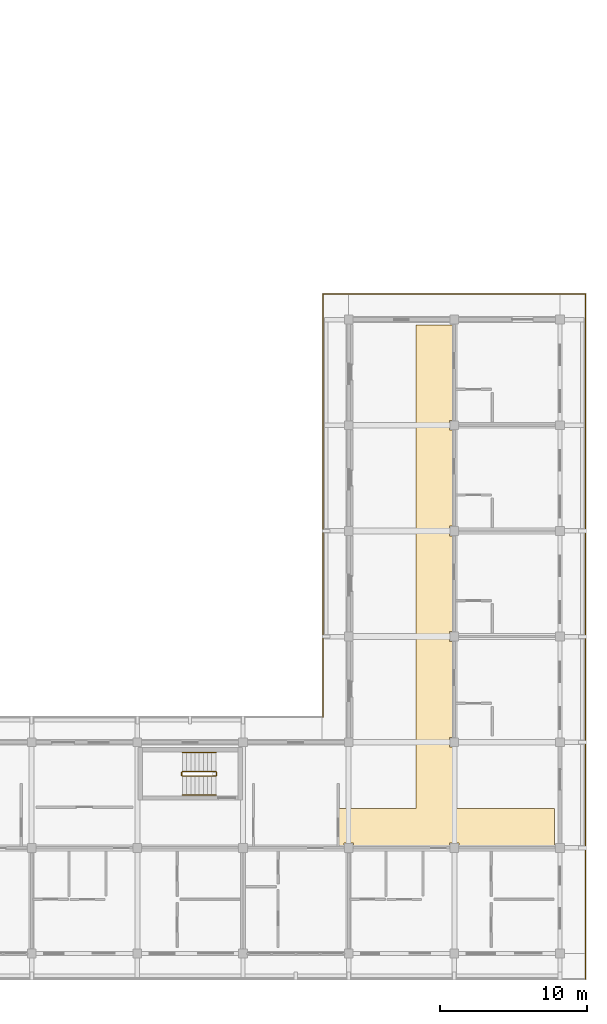
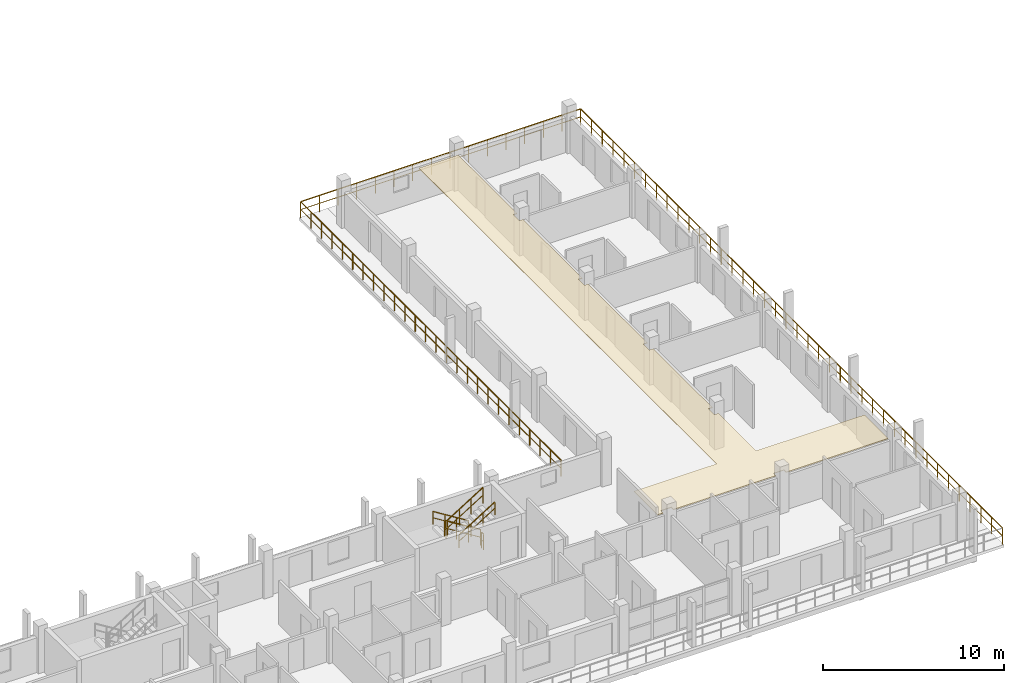
# One storey, part 74 of 78: 9 railings, 1 covering.
"""IFC4 building model written with IfcOpenShell, lengths in metres."""

from ifc_helpers import new_model, si_unit, direction, frame, origin, origin_2d, place, context, subcontext, project, spatial, polyline, rectangle, outline, extrude, material, layer, layer_set, type_object, element, save


model = new_model("IFC4")

# Units and contexts
model_context = context("Model", 3, precision=1e-05, world=origin(), true_north=direction((0.0, 1.0)))
body_context = subcontext(model_context, "Body", "Model", "MODEL_VIEW")
ifc_project = project(units=[si_unit("LENGTHUNIT", "METRE"), si_unit("AREAUNIT", "SQUARE_METRE"), si_unit("VOLUMEUNIT", "CUBIC_METRE"), si_unit("PLANEANGLEUNIT", "RADIAN"), si_unit("MASSUNIT", "GRAM", prefix="KILO")], contexts=[model_context])

# Site, building, storey
site_placement = place(None, origin())
site = spatial("IfcSite", under=ifc_project, at=site_placement, CompositionType="ELEMENT")
building_placement = place(site_placement, origin())
building = spatial("IfcBuilding", under=site, at=building_placement, Name="Suanplinth Sawtooth Commons", CompositionType="ELEMENT")
storey_placement = place(building_placement, frame((0.0, 0.0, 15.39990234375)))
storey = spatial("IfcBuildingStorey", under=building, at=storey_placement, Name="L04", CompositionType="ELEMENT", Elevation=15.39990234375)

# Covering
ifc_material_1 = material(Name="Mineral fibre acoustic tile")
ifc_layer = layer(ifc_material_1, 0.0400390625, Name="Perforated mineral-fibre acoustic suspended ceiling")
ifc_layer_set = layer_set([ifc_layer], Name="Mineral fibre acoustic tile")
covering_type = type_object("IfcCoveringType", Name="CV-CE01", PredefinedType="CEILING", material=ifc_layer_set)
covering_placement = place(storey_placement, frame((0.0, 0.0, 2.380126953125)))
element("IfcCovering", 1, at=covering_placement, inside=storey, type_object=covering_type, Name="L04 Block C Corridor Acoustic Ceiling", PredefinedType="CEILING", context=body_context, shape_type="SweptSolid", body=[
    extrude(outline(polyline([(172.1201171875, 9.89990234375), (177.39990234375, 9.89990234375), (177.39990234375, 42.840087890625), (179.919921875, 42.840087890625), (179.919921875, 36.330078125), (179.669921875, 36.330078125), (179.669921875, 35.669921875), (179.919921875, 35.669921875), (179.919921875, 29.1298828125), (179.669921875, 29.1298828125), (179.669921875, 28.469970703125), (179.919921875, 28.469970703125), (179.919921875, 21.929931640625), (179.669921875, 21.929931640625), (179.669921875, 21.27001953125), (179.919921875, 21.27001953125), (179.919921875, 14.72998046875), (179.669921875, 14.72998046875), (179.669921875, 14.070068359375), (179.919921875, 14.070068359375), (179.919921875, 9.89990234375), (186.840087890625, 9.89990234375), (186.840087890625, 7.280029296875), (180.330078125, 7.280029296875), (180.330078125, 7.530029296875), (179.669921875, 7.530029296875), (179.669921875, 7.280029296875), (173.1298828125, 7.280029296875), (173.1298828125, 7.530029296875), (172.469970703125, 7.530029296875), (172.469970703125, 7.280029296875), (172.1201171875, 7.280029296875), (172.1201171875, 9.89990234375)])), origin(), (0.0, 0.0, 1.0), 0.0400390625),
])

# Railings
ifc_material_2 = material(Name="Powder-coated galvanized steel", Category="steel")
railing_type_1 = type_object("IfcRailingType", Name="GR-01", PredefinedType="BALUSTRADE", material=ifc_material_2)
railing_1_placement = place(storey_placement, frame((171.06005859375, 16.139892578125, 0.0)))
element("IfcRailing", 2, at=railing_1_placement, inside=storey, type_object=railing_type_1, Name="L04 Block C Perimeter Balustrade 3", PredefinedType="BALUSTRADE", context=body_context, shape_type="SweptSolid", body=[
    extrude(rectangle(XDim=0.048095703125, YDim=0.048095703125, at=origin_2d()), frame((0.0, 0.0, 1.09619140625), z_axis=(0.0, 1.0, 0.0), x_axis=(-1.0, 0.0, 0.0)), (0.0, 0.0, 1.0), 28.800048828125),
    extrude(rectangle(XDim=0.03369140625, YDim=0.03369140625, at=origin_2d()), frame((0.0, 0.0, 0.56005859375), z_axis=(0.0, 1.0, 0.0), x_axis=(-1.0, 0.0, 0.0)), (0.0, 0.0, 1.0), 28.800048828125),
    extrude(rectangle(XDim=0.0419921875, YDim=0.0419921875, at=origin_2d()), origin(), (0.0, 0.0, 1.0), 1.072021484375),
    extrude(rectangle(XDim=0.0419921875, YDim=0.0419921875, at=origin_2d()), frame((0.0, 1.152099609375, 0.0)), (0.0, 0.0, 1.0), 1.072021484375),
    extrude(rectangle(XDim=0.0419921875, YDim=0.0419921875, at=origin_2d()), frame((0.0, 2.303955078125, 0.0)), (0.0, 0.0, 1.0), 1.072021484375),
    extrude(rectangle(XDim=0.0419921875, YDim=0.0419921875, at=origin_2d()), frame((0.0, 3.4560546875, 0.0)), (0.0, 0.0, 1.0), 1.072021484375),
    extrude(rectangle(XDim=0.0419921875, YDim=0.0419921875, at=origin_2d()), frame((0.0, 4.60791015625, 0.0)), (0.0, 0.0, 1.0), 1.072021484375),
    extrude(rectangle(XDim=0.0419921875, YDim=0.0419921875, at=origin_2d()), frame((0.0, 5.760009765625, 0.0)), (0.0, 0.0, 1.0), 1.072021484375),
    extrude(rectangle(XDim=0.0419921875, YDim=0.0419921875, at=origin_2d()), frame((0.0, 6.912109375, 0.0)), (0.0, 0.0, 1.0), 1.072021484375),
    extrude(rectangle(XDim=0.0419921875, YDim=0.0419921875, at=origin_2d()), frame((0.0, 8.06396484375, 0.0)), (0.0, 0.0, 1.0), 1.072021484375),
    extrude(rectangle(XDim=0.0419921875, YDim=0.0419921875, at=origin_2d()), frame((0.0, 9.216064453125, 0.0)), (0.0, 0.0, 1.0), 1.072021484375),
    extrude(rectangle(XDim=0.0419921875, YDim=0.0419921875, at=origin_2d()), frame((0.0, 10.367919921875, 0.0)), (0.0, 0.0, 1.0), 1.072021484375),
    extrude(rectangle(XDim=0.0419921875, YDim=0.0419921875, at=origin_2d()), frame((0.0, 11.52001953125, 0.0)), (0.0, 0.0, 1.0), 1.072021484375),
    extrude(rectangle(XDim=0.0419921875, YDim=0.0419921875, at=origin_2d()), frame((0.0, 12.672119140625, 0.0)), (0.0, 0.0, 1.0), 1.072021484375),
    extrude(rectangle(XDim=0.0419921875, YDim=0.0419921875, at=origin_2d()), frame((0.0, 13.823974609375, 0.0)), (0.0, 0.0, 1.0), 1.072021484375),
    extrude(rectangle(XDim=0.0419921875, YDim=0.0419921875, at=origin_2d()), frame((0.0, 14.97607421875, 0.0)), (0.0, 0.0, 1.0), 1.072021484375),
    extrude(rectangle(XDim=0.0419921875, YDim=0.0419921875, at=origin_2d()), frame((0.0, 16.1279296875, 0.0)), (0.0, 0.0, 1.0), 1.072021484375),
    extrude(rectangle(XDim=0.0419921875, YDim=0.0419921875, at=origin_2d()), frame((0.0, 17.280029296875, 0.0)), (0.0, 0.0, 1.0), 1.072021484375),
    extrude(rectangle(XDim=0.0419921875, YDim=0.0419921875, at=origin_2d()), frame((0.0, 18.43212890625, 0.0)), (0.0, 0.0, 1.0), 1.072021484375),
    extrude(rectangle(XDim=0.0419921875, YDim=0.0419921875, at=origin_2d()), frame((0.0, 19.583984375, 0.0)), (0.0, 0.0, 1.0), 1.072021484375),
    extrude(rectangle(XDim=0.0419921875, YDim=0.0419921875, at=origin_2d()), frame((0.0, 20.736083984375, 0.0)), (0.0, 0.0, 1.0), 1.072021484375),
    extrude(rectangle(XDim=0.0419921875, YDim=0.0419921875, at=origin_2d()), frame((0.0, 21.887939453125, 0.0)), (0.0, 0.0, 1.0), 1.072021484375),
    extrude(rectangle(XDim=0.0419921875, YDim=0.0419921875, at=origin_2d()), frame((0.0, 23.0400390625, 0.0)), (0.0, 0.0, 1.0), 1.072021484375),
    extrude(rectangle(XDim=0.0419921875, YDim=0.0419921875, at=origin_2d()), frame((0.0, 24.192138671875, 0.0)), (0.0, 0.0, 1.0), 1.072021484375),
    extrude(rectangle(XDim=0.0419921875, YDim=0.0419921875, at=origin_2d()), frame((0.0, 25.343994140625, 0.0)), (0.0, 0.0, 1.0), 1.072021484375),
    extrude(rectangle(XDim=0.0419921875, YDim=0.0419921875, at=origin_2d()), frame((0.0, 26.49609375, 0.0)), (0.0, 0.0, 1.0), 1.072021484375),
    extrude(rectangle(XDim=0.0419921875, YDim=0.0419921875, at=origin_2d()), frame((0.0, 27.64794921875, 0.0)), (0.0, 0.0, 1.0), 1.072021484375),
    extrude(rectangle(XDim=0.0419921875, YDim=0.0419921875, at=origin_2d()), frame((0.0, 28.800048828125, 0.0)), (0.0, 0.0, 1.0), 1.072021484375),
])
railing_2_placement = place(storey_placement, frame((171.06005859375, 44.93994140625, 0.0)))
element("IfcRailing", 3, at=railing_2_placement, inside=storey, type_object=railing_type_1, Name="L04 Block C Perimeter Balustrade 4", PredefinedType="BALUSTRADE", context=body_context, shape_type="SweptSolid", body=[
    extrude(rectangle(XDim=0.048095703125, YDim=0.048095703125, at=origin_2d()), frame((0.0, 0.0, 1.09619140625), z_axis=(1.0, 0.0, 0.0), x_axis=(0.0, 1.0, 0.0)), (0.0, 0.0, 1.0), 17.8798828125),
    extrude(rectangle(XDim=0.03369140625, YDim=0.03369140625, at=origin_2d()), frame((0.0, 0.0, 0.56005859375), z_axis=(1.0, 0.0, 0.0), x_axis=(0.0, 1.0, 0.0)), (0.0, 0.0, 1.0), 17.8798828125),
    extrude(rectangle(XDim=0.0419921875, YDim=0.0419921875, at=origin_2d()), origin(), (0.0, 0.0, 1.0), 1.072021484375),
    extrude(rectangle(XDim=0.0419921875, YDim=0.0419921875, at=origin_2d()), frame((1.19189453125, 0.0, 0.0)), (0.0, 0.0, 1.0), 1.072021484375),
    extrude(rectangle(XDim=0.0419921875, YDim=0.0419921875, at=origin_2d()), frame((2.384033203125, 0.0, 0.0)), (0.0, 0.0, 1.0), 1.072021484375),
    extrude(rectangle(XDim=0.0419921875, YDim=0.0419921875, at=origin_2d()), frame((3.575927734375, 0.0, 0.0)), (0.0, 0.0, 1.0), 1.072021484375),
    extrude(rectangle(XDim=0.0419921875, YDim=0.0419921875, at=origin_2d()), frame((4.76806640625, 0.0, 0.0)), (0.0, 0.0, 1.0), 1.072021484375),
    extrude(rectangle(XDim=0.0419921875, YDim=0.0419921875, at=origin_2d()), frame((5.9599609375, 0.0, 0.0)), (0.0, 0.0, 1.0), 1.072021484375),
    extrude(rectangle(XDim=0.0419921875, YDim=0.0419921875, at=origin_2d()), frame((7.15185546875, 0.0, 0.0)), (0.0, 0.0, 1.0), 1.072021484375),
    extrude(rectangle(XDim=0.0419921875, YDim=0.0419921875, at=origin_2d()), frame((8.343994140625, 0.0, 0.0)), (0.0, 0.0, 1.0), 1.072021484375),
    extrude(rectangle(XDim=0.0419921875, YDim=0.0419921875, at=origin_2d()), frame((9.535888671875, 0.0, 0.0)), (0.0, 0.0, 1.0), 1.072021484375),
    extrude(rectangle(XDim=0.0419921875, YDim=0.0419921875, at=origin_2d()), frame((10.72802734375, 0.0, 0.0)), (0.0, 0.0, 1.0), 1.072021484375),
    extrude(rectangle(XDim=0.0419921875, YDim=0.0419921875, at=origin_2d()), frame((11.919921875, 0.0, 0.0)), (0.0, 0.0, 1.0), 1.072021484375),
    extrude(rectangle(XDim=0.0419921875, YDim=0.0419921875, at=origin_2d()), frame((13.11181640625, 0.0, 0.0)), (0.0, 0.0, 1.0), 1.072021484375),
    extrude(rectangle(XDim=0.0419921875, YDim=0.0419921875, at=origin_2d()), frame((14.303955078125, 0.0, 0.0)), (0.0, 0.0, 1.0), 1.072021484375),
    extrude(rectangle(XDim=0.0419921875, YDim=0.0419921875, at=origin_2d()), frame((15.495849609375, 0.0, 0.0)), (0.0, 0.0, 1.0), 1.072021484375),
    extrude(rectangle(XDim=0.0419921875, YDim=0.0419921875, at=origin_2d()), frame((16.68798828125, 0.0, 0.0)), (0.0, 0.0, 1.0), 1.072021484375),
    extrude(rectangle(XDim=0.0419921875, YDim=0.0419921875, at=origin_2d()), frame((17.8798828125, 0.0, 0.0)), (0.0, 0.0, 1.0), 1.072021484375),
])
railing_3_placement = place(storey_placement, frame((188.93994140625, 44.93994140625, 0.0)))
element("IfcRailing", 4, at=railing_3_placement, inside=storey, type_object=railing_type_1, Name="L04 Block C Perimeter Balustrade 5", PredefinedType="BALUSTRADE", context=body_context, shape_type="SweptSolid", body=[
    extrude(rectangle(XDim=0.048095703125, YDim=0.048095703125, at=origin_2d()), frame((0.0, 0.0, 1.09619140625), z_axis=(0.0, -1.0, 0.0), x_axis=(1.0, 0.0, 0.0)), (0.0, 0.0, 1.0), 46.679931640625),
    extrude(rectangle(XDim=0.03369140625, YDim=0.03369140625, at=origin_2d()), frame((0.0, 0.0, 0.56005859375), z_axis=(0.0, -1.0, 0.0), x_axis=(1.0, 0.0, 0.0)), (0.0, 0.0, 1.0), 46.679931640625),
    extrude(rectangle(XDim=0.0419921875, YDim=0.0419921875, at=origin_2d()), origin(), (0.0, 0.0, 1.0), 1.072021484375),
    extrude(rectangle(XDim=0.0419921875, YDim=0.0419921875, at=origin_2d()), frame((0.0, -1.197021484375, 0.0)), (0.0, 0.0, 1.0), 1.072021484375),
    extrude(rectangle(XDim=0.0419921875, YDim=0.0419921875, at=origin_2d()), frame((0.0, -2.393798828125, 0.0)), (0.0, 0.0, 1.0), 1.072021484375),
    extrude(rectangle(XDim=0.0419921875, YDim=0.0419921875, at=origin_2d()), frame((0.0, -3.5908203125, 0.0)), (0.0, 0.0, 1.0), 1.072021484375),
    extrude(rectangle(XDim=0.0419921875, YDim=0.0419921875, at=origin_2d()), frame((0.0, -4.78759765625, 0.0)), (0.0, 0.0, 1.0), 1.072021484375),
    extrude(rectangle(XDim=0.0419921875, YDim=0.0419921875, at=origin_2d()), frame((0.0, -5.984619140625, 0.0)), (0.0, 0.0, 1.0), 1.072021484375),
    extrude(rectangle(XDim=0.0419921875, YDim=0.0419921875, at=origin_2d()), frame((0.0, -7.181640625, 0.0)), (0.0, 0.0, 1.0), 1.072021484375),
    extrude(rectangle(XDim=0.0419921875, YDim=0.0419921875, at=origin_2d()), frame((0.0, -8.37841796875, 0.0)), (0.0, 0.0, 1.0), 1.072021484375),
    extrude(rectangle(XDim=0.0419921875, YDim=0.0419921875, at=origin_2d()), frame((0.0, -9.575439453125, 0.0)), (0.0, 0.0, 1.0), 1.072021484375),
    extrude(rectangle(XDim=0.0419921875, YDim=0.0419921875, at=origin_2d()), frame((0.0, -10.772216796875, 0.0)), (0.0, 0.0, 1.0), 1.072021484375),
    extrude(rectangle(XDim=0.0419921875, YDim=0.0419921875, at=origin_2d()), frame((0.0, -11.96923828125, 0.0)), (0.0, 0.0, 1.0), 1.072021484375),
    extrude(rectangle(XDim=0.0419921875, YDim=0.0419921875, at=origin_2d()), frame((0.0, -13.166015625, 0.0)), (0.0, 0.0, 1.0), 1.072021484375),
    extrude(rectangle(XDim=0.0419921875, YDim=0.0419921875, at=origin_2d()), frame((0.0, -14.363037109375, 0.0)), (0.0, 0.0, 1.0), 1.072021484375),
    extrude(rectangle(XDim=0.0419921875, YDim=0.0419921875, at=origin_2d()), frame((0.0, -15.56005859375, 0.0)), (0.0, 0.0, 1.0), 1.072021484375),
    extrude(rectangle(XDim=0.0419921875, YDim=0.0419921875, at=origin_2d()), frame((0.0, -16.7568359375, 0.0)), (0.0, 0.0, 1.0), 1.072021484375),
    extrude(rectangle(XDim=0.0419921875, YDim=0.0419921875, at=origin_2d()), frame((0.0, -17.953857421875, 0.0)), (0.0, 0.0, 1.0), 1.072021484375),
    extrude(rectangle(XDim=0.0419921875, YDim=0.0419921875, at=origin_2d()), frame((0.0, -19.150634765625, 0.0)), (0.0, 0.0, 1.0), 1.072021484375),
    extrude(rectangle(XDim=0.0419921875, YDim=0.0419921875, at=origin_2d()), frame((0.0, -20.34765625, 0.0)), (0.0, 0.0, 1.0), 1.072021484375),
    extrude(rectangle(XDim=0.0419921875, YDim=0.0419921875, at=origin_2d()), frame((0.0, -21.544677734375, 0.0)), (0.0, 0.0, 1.0), 1.072021484375),
    extrude(rectangle(XDim=0.0419921875, YDim=0.0419921875, at=origin_2d()), frame((0.0, -22.741455078125, 0.0)), (0.0, 0.0, 1.0), 1.072021484375),
    extrude(rectangle(XDim=0.0419921875, YDim=0.0419921875, at=origin_2d()), frame((0.0, -23.9384765625, 0.0)), (0.0, 0.0, 1.0), 1.072021484375),
    extrude(rectangle(XDim=0.0419921875, YDim=0.0419921875, at=origin_2d()), frame((0.0, -25.13525390625, 0.0)), (0.0, 0.0, 1.0), 1.072021484375),
    extrude(rectangle(XDim=0.0419921875, YDim=0.0419921875, at=origin_2d()), frame((0.0, -26.332275390625, 0.0)), (0.0, 0.0, 1.0), 1.072021484375),
    extrude(rectangle(XDim=0.0419921875, YDim=0.0419921875, at=origin_2d()), frame((0.0, -27.529296875, 0.0)), (0.0, 0.0, 1.0), 1.072021484375),
    extrude(rectangle(XDim=0.0419921875, YDim=0.0419921875, at=origin_2d()), frame((0.0, -28.72607421875, 0.0)), (0.0, 0.0, 1.0), 1.072021484375),
    extrude(rectangle(XDim=0.0419921875, YDim=0.0419921875, at=origin_2d()), frame((0.0, -29.923095703125, 0.0)), (0.0, 0.0, 1.0), 1.072021484375),
    extrude(rectangle(XDim=0.0419921875, YDim=0.0419921875, at=origin_2d()), frame((0.0, -31.119873046875, 0.0)), (0.0, 0.0, 1.0), 1.072021484375),
    extrude(rectangle(XDim=0.0419921875, YDim=0.0419921875, at=origin_2d()), frame((0.0, -32.31689453125, 0.0)), (0.0, 0.0, 1.0), 1.072021484375),
    extrude(rectangle(XDim=0.0419921875, YDim=0.0419921875, at=origin_2d()), frame((0.0, -33.513916015625, 0.0)), (0.0, 0.0, 1.0), 1.072021484375),
    extrude(rectangle(XDim=0.0419921875, YDim=0.0419921875, at=origin_2d()), frame((0.0, -34.710693359375, 0.0)), (0.0, 0.0, 1.0), 1.072021484375),
    extrude(rectangle(XDim=0.0419921875, YDim=0.0419921875, at=origin_2d()), frame((0.0, -35.90771484375, 0.0)), (0.0, 0.0, 1.0), 1.072021484375),
    extrude(rectangle(XDim=0.0419921875, YDim=0.0419921875, at=origin_2d()), frame((0.0, -37.1044921875, 0.0)), (0.0, 0.0, 1.0), 1.072021484375),
    extrude(rectangle(XDim=0.0419921875, YDim=0.0419921875, at=origin_2d()), frame((0.0, -38.301513671875, 0.0)), (0.0, 0.0, 1.0), 1.072021484375),
    extrude(rectangle(XDim=0.0419921875, YDim=0.0419921875, at=origin_2d()), frame((0.0, -39.498291015625, 0.0)), (0.0, 0.0, 1.0), 1.072021484375),
    extrude(rectangle(XDim=0.0419921875, YDim=0.0419921875, at=origin_2d()), frame((0.0, -40.6953125, 0.0)), (0.0, 0.0, 1.0), 1.072021484375),
    extrude(rectangle(XDim=0.0419921875, YDim=0.0419921875, at=origin_2d()), frame((0.0, -41.892333984375, 0.0)), (0.0, 0.0, 1.0), 1.072021484375),
    extrude(rectangle(XDim=0.0419921875, YDim=0.0419921875, at=origin_2d()), frame((0.0, -43.089111328125, 0.0)), (0.0, 0.0, 1.0), 1.072021484375),
    extrude(rectangle(XDim=0.0419921875, YDim=0.0419921875, at=origin_2d()), frame((0.0, -44.2861328125, 0.0)), (0.0, 0.0, 1.0), 1.072021484375),
    extrude(rectangle(XDim=0.0419921875, YDim=0.0419921875, at=origin_2d()), frame((0.0, -45.48291015625, 0.0)), (0.0, 0.0, 1.0), 1.072021484375),
    extrude(rectangle(XDim=0.0419921875, YDim=0.0419921875, at=origin_2d()), frame((0.0, -46.679931640625, 0.0)), (0.0, 0.0, 1.0), 1.072021484375),
])
ifc_material_3 = material(Name="Stainless steel Grade 304", Category="steel")
railing_type_2 = type_object("IfcRailingType", Name="GR-04", PredefinedType="GUARDRAIL", material=ifc_material_3)
railing_4_placement = place(storey_placement, frame((163.75, 12.39990234375, 0.177978515625)))
element("IfcRailing", 5, at=railing_4_placement, inside=storey, type_object=railing_type_2, Name="L04 ST-S2 Guard 1", PredefinedType="GUARDRAIL", context=body_context, shape_type="SweptSolid", body=[
    extrude(rectangle(XDim=0.048095703125, YDim=0.048095703125, at=origin_2d()), frame((0.0, 0.0, 1.076171875), z_axis=(-0.848482842525, 0.0, 0.529222888715), x_axis=(0.0, -1.0, 0.0)), (0.0, 0.0, 1.0), 2.687255859375),
    extrude(rectangle(XDim=0.03369140625, YDim=0.03369140625, at=origin_2d()), frame((0.0, 0.0, 0.550048828125), z_axis=(-0.848482842525, 0.0, 0.529222888715), x_axis=(0.0, -1.0, 0.0)), (0.0, 0.0, 1.0), 2.687255859375),
    extrude(rectangle(XDim=0.0419921875, YDim=0.0419921875, at=origin_2d()), origin(), (0.0, 0.0, 1.0), 1.052001953125),
    extrude(rectangle(XDim=0.0419921875, YDim=0.0419921875, at=origin_2d()), frame((-0.760009765625, 0.0, 0.47412109375)), (0.0, 0.0, 1.0), 1.052001953125),
    extrude(rectangle(XDim=0.0419921875, YDim=0.0419921875, at=origin_2d()), frame((-1.52001953125, 0.0, 0.947998046875)), (0.0, 0.0, 1.0), 1.052001953125),
    extrude(rectangle(XDim=0.0419921875, YDim=0.0419921875, at=origin_2d()), frame((-2.280029296875, 0.0, 1.422119140625)), (0.0, 0.0, 1.0), 1.052001953125),
])
railing_5_placement = place(storey_placement, frame((161.419921875, 12.35009765625, 1.60009765625)))
element("IfcRailing", 6, at=railing_5_placement, inside=storey, type_object=railing_type_2, Name="L04 ST-S2 Guard 2", PredefinedType="GUARDRAIL", context=body_context, shape_type="SweptSolid", body=[
    extrude(rectangle(XDim=0.048095703125, YDim=0.048095703125, at=origin_2d()), frame((0.0, 0.0, 1.076171875), z_axis=(0.0, -1.0, 0.0), x_axis=(1.0, 0.0, 0.0)), (0.0, 0.0, 1.0), 0.2001953125),
    extrude(rectangle(XDim=0.03369140625, YDim=0.03369140625, at=origin_2d()), frame((0.0, 0.0, 0.550048828125), z_axis=(0.0, -1.0, 0.0), x_axis=(1.0, 0.0, 0.0)), (0.0, 0.0, 1.0), 0.2001953125),
    extrude(rectangle(XDim=0.0419921875, YDim=0.0419921875, at=origin_2d()), origin(), (0.0, 0.0, 1.0), 1.052001953125),
    extrude(rectangle(XDim=0.0419921875, YDim=0.0419921875, at=origin_2d()), frame((0.0, -0.2001953125, 0.0)), (0.0, 0.0, 1.0), 1.052001953125),
])
railing_6_placement = place(storey_placement, frame((161.469970703125, 12.10009765625, 1.77783203125)))
element("IfcRailing", 7, at=railing_6_placement, inside=storey, type_object=railing_type_2, Name="L04 ST-S2 Guard 3", PredefinedType="GUARDRAIL", context=body_context, shape_type="SweptSolid", body=[
    extrude(rectangle(XDim=0.048095703125, YDim=0.048095703125, at=origin_2d()), frame((0.0, 0.0, 1.076171875), z_axis=(0.848442045328, 0.0, 0.529288291689), x_axis=(0.0, 1.0, 0.0)), (0.0, 0.0, 1.0), 2.687255859375),
    extrude(rectangle(XDim=0.03369140625, YDim=0.03369140625, at=origin_2d()), frame((0.0, 0.0, 0.550048828125), z_axis=(0.848442045328, 0.0, 0.529288291689), x_axis=(0.0, 1.0, 0.0)), (0.0, 0.0, 1.0), 2.687255859375),
    extrude(rectangle(XDim=0.0419921875, YDim=0.0419921875, at=origin_2d()), origin(), (0.0, 0.0, 1.0), 1.052001953125),
    extrude(rectangle(XDim=0.0419921875, YDim=0.0419921875, at=origin_2d()), frame((0.760009765625, 0.0, 0.47412109375)), (0.0, 0.0, 1.0), 1.052001953125),
    extrude(rectangle(XDim=0.0419921875, YDim=0.0419921875, at=origin_2d()), frame((1.52001953125, 0.0, 0.9482421875)), (0.0, 0.0, 1.0), 1.052001953125),
    extrude(rectangle(XDim=0.0419921875, YDim=0.0419921875, at=origin_2d()), frame((2.280029296875, 0.0, 1.42236328125)), (0.0, 0.0, 1.0), 1.052001953125),
])
railing_7_placement = place(storey_placement, frame((163.800048828125, 12.35009765625, 0.0)))
element("IfcRailing", 8, at=railing_7_placement, inside=storey, type_object=railing_type_2, Name="L04 ST-S2 Guard 4", PredefinedType="GUARDRAIL", context=body_context, shape_type="SweptSolid", body=[
    extrude(rectangle(XDim=0.048095703125, YDim=0.048095703125, at=origin_2d()), frame((0.0, 0.0, 1.076171875), z_axis=(0.0, -1.0, 0.0), x_axis=(1.0, 0.0, 0.0)), (0.0, 0.0, 1.0), 0.2001953125),
    extrude(rectangle(XDim=0.03369140625, YDim=0.03369140625, at=origin_2d()), frame((0.0, 0.0, 0.550048828125), z_axis=(0.0, -1.0, 0.0), x_axis=(1.0, 0.0, 0.0)), (0.0, 0.0, 1.0), 0.2001953125),
    extrude(rectangle(XDim=0.0419921875, YDim=0.0419921875, at=origin_2d()), origin(), (0.0, 0.0, 1.0), 1.052001953125),
    extrude(rectangle(XDim=0.0419921875, YDim=0.0419921875, at=origin_2d()), frame((0.0, -0.2001953125, 0.0)), (0.0, 0.0, 1.0), 1.052001953125),
])
railing_type_3 = type_object("IfcRailingType", Name="HR-01", PredefinedType="HANDRAIL", material=ifc_material_3)
railing_8_placement = place(storey_placement, frame((163.75, 13.699951171875, 0.177978515625)))
element("IfcRailing", 9, at=railing_8_placement, inside=storey, type_object=railing_type_3, Name="L04 ST-S2 Handrail 1", PredefinedType="HANDRAIL", context=body_context, shape_type="SweptSolid", body=[
    extrude(rectangle(XDim=0.048095703125, YDim=0.048095703125, at=origin_2d()), frame((0.0, 0.0, 0.8759765625), z_axis=(-0.848482842525, 0.0, 0.529222888715), x_axis=(0.0, -1.0, 0.0)), (0.0, 0.0, 1.0), 2.687255859375),
    extrude(rectangle(XDim=0.03369140625, YDim=0.03369140625, at=origin_2d()), frame((0.0, 0.0, 0.449951171875), z_axis=(-0.848482842525, 0.0, 0.529222888715), x_axis=(0.0, -1.0, 0.0)), (0.0, 0.0, 1.0), 2.687255859375),
    extrude(rectangle(XDim=0.0419921875, YDim=0.0419921875, at=origin_2d()), origin(), (0.0, 0.0, 1.0), 0.851806640625),
    extrude(rectangle(XDim=0.0419921875, YDim=0.0419921875, at=origin_2d()), frame((-0.760009765625, 0.0, 0.47412109375)), (0.0, 0.0, 1.0), 0.851806640625),
    extrude(rectangle(XDim=0.0419921875, YDim=0.0419921875, at=origin_2d()), frame((-1.52001953125, 0.0, 0.947998046875)), (0.0, 0.0, 1.0), 0.851806640625),
    extrude(rectangle(XDim=0.0419921875, YDim=0.0419921875, at=origin_2d()), frame((-2.280029296875, 0.0, 1.422119140625)), (0.0, 0.0, 1.0), 0.851806640625),
])
railing_9_placement = place(storey_placement, frame((161.469970703125, 10.800048828125, 1.77783203125)))
element("IfcRailing", 10, at=railing_9_placement, inside=storey, type_object=railing_type_3, Name="L04 ST-S2 Handrail 2", PredefinedType="HANDRAIL", context=body_context, shape_type="SweptSolid", body=[
    extrude(rectangle(XDim=0.048095703125, YDim=0.048095703125, at=origin_2d()), frame((0.0, 0.0, 0.8759765625), z_axis=(0.848442045328, 0.0, 0.529288291689), x_axis=(0.0, 1.0, 0.0)), (0.0, 0.0, 1.0), 2.687255859375),
    extrude(rectangle(XDim=0.03369140625, YDim=0.03369140625, at=origin_2d()), frame((0.0, 0.0, 0.449951171875), z_axis=(0.848442045328, 0.0, 0.529288291689), x_axis=(0.0, 1.0, 0.0)), (0.0, 0.0, 1.0), 2.687255859375),
    extrude(rectangle(XDim=0.0419921875, YDim=0.0419921875, at=origin_2d()), origin(), (0.0, 0.0, 1.0), 0.851806640625),
    extrude(rectangle(XDim=0.0419921875, YDim=0.0419921875, at=origin_2d()), frame((0.760009765625, 0.0, 0.47412109375)), (0.0, 0.0, 1.0), 0.851806640625),
    extrude(rectangle(XDim=0.0419921875, YDim=0.0419921875, at=origin_2d()), frame((1.52001953125, 0.0, 0.9482421875)), (0.0, 0.0, 1.0), 0.851806640625),
    extrude(rectangle(XDim=0.0419921875, YDim=0.0419921875, at=origin_2d()), frame((2.280029296875, 0.0, 1.42236328125)), (0.0, 0.0, 1.0), 0.851806640625),
])

save(model, "model.ifc")
